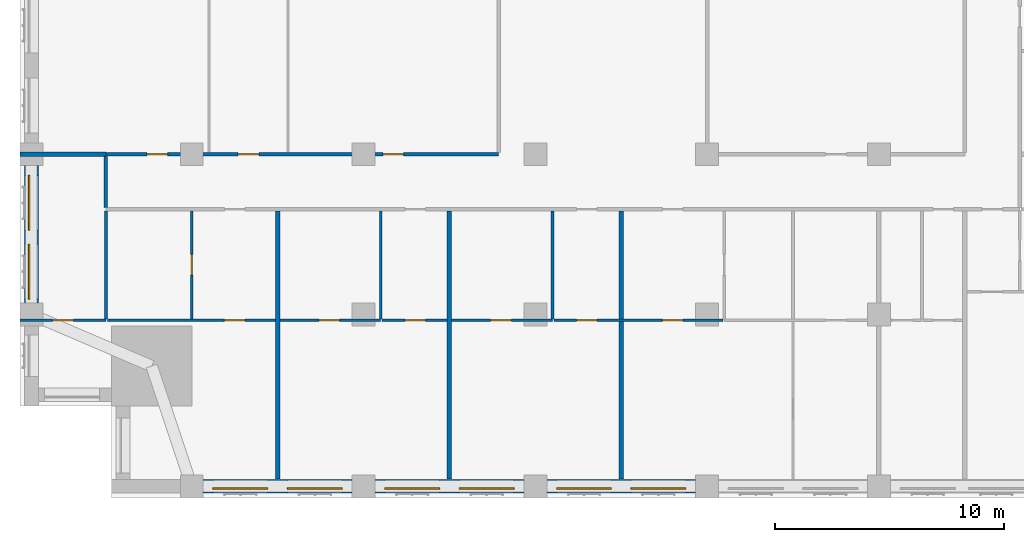
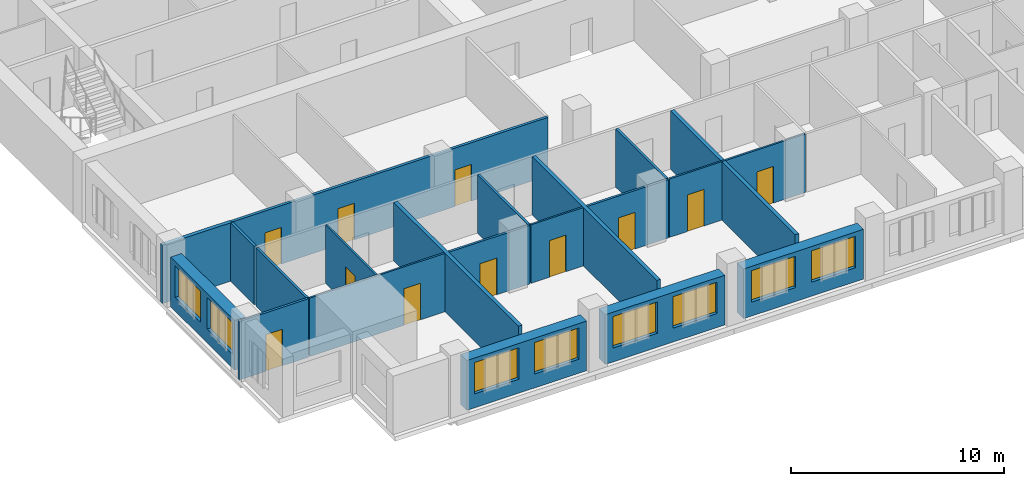
# One storey, part 4 of 14: 20 walls, 11 doors, 8 windows, 19 openings.
"""IFC4 building model written with IfcOpenShell, lengths in metres."""

import ifcopenshell
import ifcopenshell.guid

model = None  # the IFC model being written
_history = None  # IfcOwnerHistory: only IFC2X3 demands one
_inside = {}  # id of a spatial element -> (the spatial element, [elements in it])
_under = {}  # id of a project, library or spatial element -> (it, [spatial elements below it])
_declared = {}  # id of a project -> (the project, [libraries it declares])
_typed = {}  # id of a type object -> (the type object, [elements of that type])
_made_of = {}  # id of a material, layer set ... -> (it, [elements and type objects made of it])


def new_model(schema):
    """Start an empty IFC model of exactly this schema.

    Asked for "IFC4X3", IfcOpenShell would pick the latest addendum, in which some entities
    have other attributes; the version numbers below select the first issue.
    IFC2X3 requires an IfcOwnerHistory on every rooted entity: one is made here for all.
    """
    global model, _history
    if schema == "IFC4X3":
        model = ifcopenshell.file(schema_version=(4, 3, 0, 0))
    else:
        model = ifcopenshell.file(schema=schema)
    _inside.clear()
    _under.clear()
    _declared.clear()
    _typed.clear()
    _made_of.clear()
    _history = None
    if model.schema == "IFC2X3":
        org = make("IfcOrganization", Name="unknown")
        user = make(
            "IfcPersonAndOrganization",
            ThePerson=make("IfcPerson", FamilyName="unknown"),
            TheOrganization=org,
        )
        app = make(
            "IfcApplication",
            ApplicationDeveloper=org,
            Version="unknown",
            ApplicationFullName="unknown",
            ApplicationIdentifier="unknown",
        )
        _history = make(
            "IfcOwnerHistory",
            OwningUser=user,
            OwningApplication=app,
            ChangeAction="ADDED",
            CreationDate=0,
        )
    return model


def make(cls, **values):
    """One entity of the class cls with the attributes given. An attribute that is None is left unset."""
    return model.create_entity(
        cls, **{name: value for name, value in values.items() if value is not None}
    )


def rooted(cls, **values):
    """An entity with a GlobalId (a new one), such as an element, a storey or a relation."""
    return make(cls, GlobalId=ifcopenshell.guid.new(), OwnerHistory=_history, **values)


def si_unit(unit_type, name, prefix=None):
    """IfcSIUnit, for example si_unit("LENGTHUNIT", "METRE", prefix="MILLI")."""
    return make("IfcSIUnit", UnitType=unit_type, Prefix=prefix, Name=name)


def assignment(units):
    """IfcUnitAssignment: the units of a project."""
    return None if units is None else make("IfcUnitAssignment", Units=units)


def point(xyz):
    """IfcCartesianPoint."""
    return None if xyz is None else make("IfcCartesianPoint", Coordinates=xyz)


def direction(xyz):
    """IfcDirection."""
    return None if xyz is None else make("IfcDirection", DirectionRatios=xyz)


def frame(location, z_axis=None, x_axis=None):
    """IfcAxis2Placement3D, a coordinate frame: its origin and axes. An axis left out is left unset."""
    return make(
        "IfcAxis2Placement3D",
        Location=point(location),
        Axis=direction(z_axis),
        RefDirection=direction(x_axis),
    )


def frame_2d(location, x_axis=None):
    """IfcAxis2Placement2D, a coordinate frame in the plane: its origin and x axis."""
    return make(
        "IfcAxis2Placement2D", Location=point(location), RefDirection=direction(x_axis)
    )


def origin():
    """The frame at (0, 0, 0) with its axes left unset."""
    return frame((0.0, 0.0, 0.0))


def place(relative_to, where):
    """IfcLocalPlacement: puts the frame where relative to a parent placement (None: the world)."""
    return make(
        "IfcLocalPlacement", PlacementRelTo=relative_to, RelativePlacement=where
    )


def context(
    kind, dimensions, precision=None, world=None, true_north=None, identifier=None
):
    """IfcGeometricRepresentationContext, for example the 3D "Model" context."""
    return make(
        "IfcGeometricRepresentationContext",
        ContextIdentifier=identifier,
        ContextType=kind,
        CoordinateSpaceDimension=dimensions,
        Precision=precision,
        WorldCoordinateSystem=world,
        TrueNorth=true_north,
    )


def subcontext(parent, identifier, kind, view, scale=None):
    """IfcGeometricRepresentationSubContext, for example "Body" below "Model"."""
    return make(
        "IfcGeometricRepresentationSubContext",
        ContextIdentifier=identifier,
        ContextType=kind,
        ParentContext=parent,
        TargetScale=scale,
        TargetView=view,
    )


def project(units=None, contexts=None):
    """IfcProject with its units and contexts."""
    return rooted(
        "IfcProject",
        Name="project",
        RepresentationContexts=contexts,
        UnitsInContext=assignment(units),
    )


def spatial(cls, under=None, at=None, **own):
    """A site, building, storey or space (cls), placed at a placement, below another one or the project."""
    s = rooted(cls, ObjectPlacement=at, **own)
    if under is not None:
        _under.setdefault(under.id(), (under, []))[1].append(s)
    return s


def profile(cls, at=None, kind="AREA", **sizes):
    """A parametric profile (cls). Its sizes go by their IFC names, for example OverallWidth=200.0."""
    return make(cls, ProfileType=kind, Position=at, **sizes)


def rectangle(**sizes):
    """IfcRectangleProfileDef."""
    return profile("IfcRectangleProfileDef", **sizes)


def extrude(swept, where, along, depth):
    """IfcExtrudedAreaSolid: the profile swept, set in the frame where, extruded along a direction by depth."""
    return make(
        "IfcExtrudedAreaSolid",
        SweptArea=swept,
        Position=where,
        ExtrudedDirection=direction(along),
        Depth=depth,
    )


def shape(context_of_items, identifier, shape_type, items):
    """IfcShapeRepresentation: the items that make up one representation, for example the "Body"."""
    return make(
        "IfcShapeRepresentation",
        ContextOfItems=context_of_items,
        RepresentationIdentifier=identifier,
        RepresentationType=shape_type,
        Items=items,
    )


def material(Name=None, Category=None):
    """IfcMaterial."""
    return make("IfcMaterial", Name=Name, Category=Category)


def layer(
    of_material, thickness, ventilated=None, Name=None, Category=None, Priority=None
):
    """IfcMaterialLayer: one layer of a wall or slab, of a material (None: an air gap)."""
    return make(
        "IfcMaterialLayer",
        Material=of_material,
        LayerThickness=thickness,
        IsVentilated=ventilated,
        Name=Name,
        Category=Category,
        Priority=Priority,
    )


def layer_set(layers, Name=None):
    """IfcMaterialLayerSet."""
    return make("IfcMaterialLayerSet", MaterialLayers=layers, LayerSetName=Name)


def made_of(thing, what):
    """Note that an element or type object is made of a material, layer set ...; save() writes the relation."""
    if what is not None:
        _made_of.setdefault(what.id(), (what, []))[1].append(thing)
    return thing


def type_object(cls, material=None, **own):
    """A type object (cls), such as IfcWallType, which elements share."""
    return made_of(rooted(cls, **own), material)


def element(
    cls,
    number,
    at=None,
    inside=None,
    cuts=None,
    type_object=None,
    material=None,
    context=None,
    identifier="Body",
    shape_type=None,
    held_by="IfcProductDefinitionShape",
    body=None,
    shapes=None,
    **own,
):
    """One element of the class cls, such as IfcWall. Its Tag is "e" and its number.

    at: its placement. inside: the storey or other place that contains it. cuts: it is an
    opening in that element (IfcRelVoidsElement). A single representation is given by context,
    identifier, shape_type and body (its items); several are given by shapes. held_by: the class
    of the entity that holds the representations. save() writes the other relations.
    """
    e = rooted(cls, Tag="e%d" % number, ObjectPlacement=at, **own)
    if body is not None:
        shapes = [shape(context, identifier, shape_type, body)]
    if shapes is not None:
        e.Representation = make(held_by, Representations=shapes)
    if inside is not None:
        _inside.setdefault(inside.id(), (inside, []))[1].append(e)
    if cuts is not None:
        rooted(
            "IfcRelVoidsElement", RelatingBuildingElement=cuts, RelatedOpeningElement=e
        )
    if type_object is not None:
        _typed.setdefault(type_object.id(), (type_object, []))[1].append(e)
    return made_of(e, material)


def fill(opening, filler):
    """IfcRelFillsElement: the door or window that sits in an opening."""
    return rooted(
        "IfcRelFillsElement",
        RelatingOpeningElement=opening,
        RelatedBuildingElement=filler,
    )


def aggregate(whole, parts):
    """IfcRelAggregates: a whole, such as a stair, and the parts it consists of."""
    return rooted("IfcRelAggregates", RelatingObject=whole, RelatedObjects=parts)


def save(model, path):
    """Write the relations noted so far, then the file.

    IfcRelAggregates (storeys below a building ...), IfcRelContainedInSpatialStructure (elements
    in a storey), IfcRelDefinesByType, IfcRelAssociatesMaterial and IfcRelDeclares: one each for
    every whole, place, type object, material and project.
    """
    for whole, parts in _under.values():
        aggregate(whole, parts)
    for where, things in _inside.values():
        rooted(
            "IfcRelContainedInSpatialStructure",
            RelatedElements=things,
            RelatingStructure=where,
        )
    for kind, things in _typed.values():
        rooted("IfcRelDefinesByType", RelatedObjects=things, RelatingType=kind)
    for what, things in _made_of.values():
        rooted("IfcRelAssociatesMaterial", RelatedObjects=things, RelatingMaterial=what)
    for by, libraries in _declared.values():
        rooted("IfcRelDeclares", RelatingContext=by, RelatedDefinitions=libraries)
    model.write(path)


model = new_model("IFC4")

# Units and contexts
model_context = context("Model", 3, precision=1e-05, world=origin(), true_north=direction((0.0, 1.0)))
body_context = subcontext(model_context, "Body", "Model", "MODEL_VIEW")
ifc_project = project(units=[si_unit("LENGTHUNIT", "METRE"), si_unit("AREAUNIT", "SQUARE_METRE"), si_unit("VOLUMEUNIT", "CUBIC_METRE"), si_unit("PLANEANGLEUNIT", "RADIAN"), si_unit("MASSUNIT", "GRAM", prefix="KILO")], contexts=[model_context])

# Site, building, storey
site_placement = place(None, origin())
site = spatial("IfcSite", under=ifc_project, at=site_placement, CompositionType="ELEMENT")
building_placement = place(site_placement, origin())
building = spatial("IfcBuilding", under=site, at=building_placement, Name="Tamorin Gate", CompositionType="ELEMENT")
storey_placement = place(building_placement, frame((0.0, 0.0, 133.800048828125)))
storey = spatial("IfcBuildingStorey", under=building, at=storey_placement, Name="L32", CompositionType="ELEMENT", Elevation=133.800048828125)

# Wall, openings, windows
ifc_material_1 = material(Name="Precast concrete C40/50", Category="concrete")
ifc_layer_1 = layer(ifc_material_1, 0.60009765625)
ifc_layer_set_1 = layer_set([ifc_layer_1], Name="Precast concrete C40/50")
wall_type_1 = type_object("IfcWallType", Name="Board-marked concrete facade panel 600", PredefinedType="SOLIDWALL", material=ifc_layer_set_1)
wall_1_placement = place(storey_placement, frame((38.0, 38.0, 0.0), z_axis=(0.0, 0.0, 1.0), x_axis=(1.0, 0.0, 0.0)))
wall_1 = element("IfcWall", 1, at=wall_1_placement, inside=storey, type_object=wall_type_1, Name="Facade panel", PredefinedType="SOLIDWALL", context=body_context, shape_type="SweptSolid", body=[
    extrude(rectangle(XDim=6.5, YDim=0.60009765625, at=frame_2d((3.25, 0.0))), origin(), (0.0, 0.0, 1.0), 2.849853515625),
])
opening_1_placement = place(wall_1_placement, frame((0.425048828125, 0.0, 0.800048828125)))
opening_1 = element("IfcOpeningElement", 2, at=opening_1_placement, cuts=wall_1, Name="Opening WN1", PredefinedType="OPENING", context=body_context, shape_type="SweptSolid", body=[
    extrude(rectangle(XDim=2.39990234375, YDim=1.800048828125, at=frame_2d((1.199951171875, 0.89990234375))), frame((0.0, 0.31005859375, 0.0), z_axis=(0.0, -1.0, 0.0), x_axis=(1.0, 0.0, 0.0)), (0.0, 0.0, 1.0), 0.6201171875),
])
opening_2_placement = place(wall_1_placement, frame((3.675048828125, 0.0, 0.800048828125)))
opening_2 = element("IfcOpeningElement", 3, at=opening_2_placement, cuts=wall_1, Name="Opening WN1", PredefinedType="OPENING", context=body_context, shape_type="SweptSolid", body=[
    extrude(rectangle(XDim=2.39990234375, YDim=1.800048828125, at=frame_2d((1.199951171875, 0.89990234375))), frame((0.0, 0.31005859375, 0.0), z_axis=(0.0, -1.0, 0.0), x_axis=(1.0, 0.0, 0.0)), (0.0, 0.0, 1.0), 0.6201171875),
])
ifc_material_2 = material(Name="Clear glass in aluminium frame", Category="aluminium")
window_type = type_object("IfcWindowType", Name="Deep-set window 2400x1800", PartitioningType="SINGLE_PANEL", PredefinedType="WINDOW", material=ifc_material_2)
window_1_placement = place(opening_1_placement, origin())
window_1 = element("IfcWindow", 4, at=window_1_placement, inside=storey, type_object=window_type, Name="Deep-set window", OverallHeight=1.800048828125, OverallWidth=2.39990234375, PartitioningType="SINGLE_PANEL", PredefinedType="WINDOW", context=body_context, shape_type="SweptSolid", body=[
    extrude(rectangle(XDim=2.39990234375, YDim=1.800048828125, at=frame_2d((1.199951171875, 0.89990234375))), frame((0.0, -0.070068359375, 0.0), z_axis=(0.0, -1.0, 0.0), x_axis=(1.0, 0.0, 0.0)), (0.0, 0.0, 1.0), 0.06005859375),
])
fill(opening_1, window_1)
window_2_placement = place(opening_2_placement, origin())
window_2 = element("IfcWindow", 5, at=window_2_placement, inside=storey, type_object=window_type, Name="Deep-set window", OverallHeight=1.800048828125, OverallWidth=2.39990234375, PartitioningType="SINGLE_PANEL", PredefinedType="WINDOW", context=body_context, shape_type="SweptSolid", body=[
    extrude(rectangle(XDim=2.39990234375, YDim=1.800048828125, at=frame_2d((1.199951171875, 0.89990234375))), frame((0.0, -0.070068359375, 0.0), z_axis=(0.0, -1.0, 0.0), x_axis=(1.0, 0.0, 0.0)), (0.0, 0.0, 1.0), 0.06005859375),
])
fill(opening_2, window_2)

wall_2_placement = place(storey_placement, frame((45.5, 38.0, 0.0), z_axis=(0.0, 0.0, 1.0), x_axis=(1.0, 0.0, 0.0)))
wall_2 = element("IfcWall", 6, at=wall_2_placement, inside=storey, type_object=wall_type_1, Name="Facade panel", PredefinedType="SOLIDWALL", context=body_context, shape_type="SweptSolid", body=[
    extrude(rectangle(XDim=6.5, YDim=0.60009765625, at=frame_2d((3.25, 0.0))), origin(), (0.0, 0.0, 1.0), 2.849853515625),
])
opening_3_placement = place(wall_2_placement, frame((0.425048828125, 0.0, 0.800048828125)))
opening_3 = element("IfcOpeningElement", 7, at=opening_3_placement, cuts=wall_2, Name="Opening WN1", PredefinedType="OPENING", context=body_context, shape_type="SweptSolid", body=[
    extrude(rectangle(XDim=2.39990234375, YDim=1.800048828125, at=frame_2d((1.199951171875, 0.89990234375))), frame((0.0, 0.31005859375, 0.0), z_axis=(0.0, -1.0, 0.0), x_axis=(1.0, 0.0, 0.0)), (0.0, 0.0, 1.0), 0.6201171875),
])
opening_4_placement = place(wall_2_placement, frame((3.675048828125, 0.0, 0.800048828125)))
opening_4 = element("IfcOpeningElement", 8, at=opening_4_placement, cuts=wall_2, Name="Opening WN1", PredefinedType="OPENING", context=body_context, shape_type="SweptSolid", body=[
    extrude(rectangle(XDim=2.39990234375, YDim=1.800048828125, at=frame_2d((1.199951171875, 0.89990234375))), frame((0.0, 0.31005859375, 0.0), z_axis=(0.0, -1.0, 0.0), x_axis=(1.0, 0.0, 0.0)), (0.0, 0.0, 1.0), 0.6201171875),
])
window_3_placement = place(opening_3_placement, origin())
window_3 = element("IfcWindow", 9, at=window_3_placement, inside=storey, type_object=window_type, Name="Deep-set window", OverallHeight=1.800048828125, OverallWidth=2.39990234375, PartitioningType="SINGLE_PANEL", PredefinedType="WINDOW", context=body_context, shape_type="SweptSolid", body=[
    extrude(rectangle(XDim=2.39990234375, YDim=1.800048828125, at=frame_2d((1.199951171875, 0.89990234375))), frame((0.0, -0.070068359375, 0.0), z_axis=(0.0, -1.0, 0.0), x_axis=(1.0, 0.0, 0.0)), (0.0, 0.0, 1.0), 0.06005859375),
])
fill(opening_3, window_3)
window_4_placement = place(opening_4_placement, origin())
window_4 = element("IfcWindow", 10, at=window_4_placement, inside=storey, type_object=window_type, Name="Deep-set window", OverallHeight=1.800048828125, OverallWidth=2.39990234375, PartitioningType="SINGLE_PANEL", PredefinedType="WINDOW", context=body_context, shape_type="SweptSolid", body=[
    extrude(rectangle(XDim=2.39990234375, YDim=1.800048828125, at=frame_2d((1.199951171875, 0.89990234375))), frame((0.0, -0.070068359375, 0.0), z_axis=(0.0, -1.0, 0.0), x_axis=(1.0, 0.0, 0.0)), (0.0, 0.0, 1.0), 0.06005859375),
])
fill(opening_4, window_4)

wall_3_placement = place(storey_placement, frame((53.0, 38.0, 0.0), z_axis=(0.0, 0.0, 1.0), x_axis=(1.0, 0.0, 0.0)))
wall_3 = element("IfcWall", 11, at=wall_3_placement, inside=storey, type_object=wall_type_1, Name="Facade panel", PredefinedType="SOLIDWALL", context=body_context, shape_type="SweptSolid", body=[
    extrude(rectangle(XDim=6.5, YDim=0.60009765625, at=frame_2d((3.25, 0.0))), origin(), (0.0, 0.0, 1.0), 2.849853515625),
])
opening_5_placement = place(wall_3_placement, frame((0.425048828125, 0.0, 0.800048828125)))
opening_5 = element("IfcOpeningElement", 12, at=opening_5_placement, cuts=wall_3, Name="Opening WN1", PredefinedType="OPENING", context=body_context, shape_type="SweptSolid", body=[
    extrude(rectangle(XDim=2.39990234375, YDim=1.800048828125, at=frame_2d((1.199951171875, 0.89990234375))), frame((0.0, 0.31005859375, 0.0), z_axis=(0.0, -1.0, 0.0), x_axis=(1.0, 0.0, 0.0)), (0.0, 0.0, 1.0), 0.6201171875),
])
opening_6_placement = place(wall_3_placement, frame((3.675048828125, 0.0, 0.800048828125)))
opening_6 = element("IfcOpeningElement", 13, at=opening_6_placement, cuts=wall_3, Name="Opening WN1", PredefinedType="OPENING", context=body_context, shape_type="SweptSolid", body=[
    extrude(rectangle(XDim=2.39990234375, YDim=1.800048828125, at=frame_2d((1.199951171875, 0.89990234375))), frame((0.0, 0.31005859375, 0.0), z_axis=(0.0, -1.0, 0.0), x_axis=(1.0, 0.0, 0.0)), (0.0, 0.0, 1.0), 0.6201171875),
])
window_5_placement = place(opening_5_placement, origin())
window_5 = element("IfcWindow", 14, at=window_5_placement, inside=storey, type_object=window_type, Name="Deep-set window", OverallHeight=1.800048828125, OverallWidth=2.39990234375, PartitioningType="SINGLE_PANEL", PredefinedType="WINDOW", context=body_context, shape_type="SweptSolid", body=[
    extrude(rectangle(XDim=2.39990234375, YDim=1.800048828125, at=frame_2d((1.199951171875, 0.89990234375))), frame((0.0, -0.070068359375, 0.0), z_axis=(0.0, -1.0, 0.0), x_axis=(1.0, 0.0, 0.0)), (0.0, 0.0, 1.0), 0.06005859375),
])
fill(opening_5, window_5)
window_6_placement = place(opening_6_placement, origin())
window_6 = element("IfcWindow", 15, at=window_6_placement, inside=storey, type_object=window_type, Name="Deep-set window", OverallHeight=1.800048828125, OverallWidth=2.39990234375, PartitioningType="SINGLE_PANEL", PredefinedType="WINDOW", context=body_context, shape_type="SweptSolid", body=[
    extrude(rectangle(XDim=2.39990234375, YDim=1.800048828125, at=frame_2d((1.199951171875, 0.89990234375))), frame((0.0, -0.070068359375, 0.0), z_axis=(0.0, -1.0, 0.0), x_axis=(1.0, 0.0, 0.0)), (0.0, 0.0, 1.0), 0.06005859375),
])
fill(opening_6, window_6)

wall_4_placement = place(storey_placement, frame((30.5, 52.0, 0.0), z_axis=(0.0, 0.0, 1.0), x_axis=(0.0, -1.0, 0.0)))
wall_4 = element("IfcWall", 16, at=wall_4_placement, inside=storey, type_object=wall_type_1, Name="Facade panel", PredefinedType="SOLIDWALL", context=body_context, shape_type="SweptSolid", body=[
    extrude(rectangle(XDim=6.0, YDim=0.60009765625, at=frame_2d((3.0, 0.0))), origin(), (0.0, 0.0, 1.0), 2.849853515625),
])
opening_7_placement = place(wall_4_placement, frame((3.425048828125, 0.0, 0.800048828125)))
opening_7 = element("IfcOpeningElement", 17, at=opening_7_placement, cuts=wall_4, Name="Opening WN1", PredefinedType="OPENING", context=body_context, shape_type="SweptSolid", body=[
    extrude(rectangle(XDim=2.39990234375, YDim=1.800048828125, at=frame_2d((1.199951171875, 0.89990234375))), frame((0.0, 0.31005859375, 0.0), z_axis=(0.0, -1.0, 0.0), x_axis=(1.0, 0.0, 0.0)), (0.0, 0.0, 1.0), 0.6201171875),
])
opening_8_placement = place(wall_4_placement, frame((0.425048828125, 0.0, 0.800048828125)))
opening_8 = element("IfcOpeningElement", 18, at=opening_8_placement, cuts=wall_4, Name="Opening WN1", PredefinedType="OPENING", context=body_context, shape_type="SweptSolid", body=[
    extrude(rectangle(XDim=2.39990234375, YDim=1.800048828125, at=frame_2d((1.199951171875, 0.89990234375))), frame((0.0, 0.31005859375, 0.0), z_axis=(0.0, -1.0, 0.0), x_axis=(1.0, 0.0, 0.0)), (0.0, 0.0, 1.0), 0.6201171875),
])
window_7_placement = place(opening_7_placement, origin())
window_7 = element("IfcWindow", 19, at=window_7_placement, inside=storey, type_object=window_type, Name="Deep-set window", OverallHeight=1.800048828125, OverallWidth=2.39990234375, PartitioningType="SINGLE_PANEL", PredefinedType="WINDOW", context=body_context, shape_type="SweptSolid", body=[
    extrude(rectangle(XDim=2.39990234375, YDim=1.800048828125, at=frame_2d((1.199951171875, 0.89990234375))), frame((0.0, -0.070068359375, 0.0), z_axis=(0.0, -1.0, 0.0), x_axis=(1.0, 0.0, 0.0)), (0.0, 0.0, 1.0), 0.06005859375),
])
fill(opening_7, window_7)
window_8_placement = place(opening_8_placement, origin())
window_8 = element("IfcWindow", 20, at=window_8_placement, inside=storey, type_object=window_type, Name="Deep-set window", OverallHeight=1.800048828125, OverallWidth=2.39990234375, PartitioningType="SINGLE_PANEL", PredefinedType="WINDOW", context=body_context, shape_type="SweptSolid", body=[
    extrude(rectangle(XDim=2.39990234375, YDim=1.800048828125, at=frame_2d((1.199951171875, 0.89990234375))), frame((0.0, -0.070068359375, 0.0), z_axis=(0.0, -1.0, 0.0), x_axis=(1.0, 0.0, 0.0)), (0.0, 0.0, 1.0), 0.06005859375),
])
fill(opening_8, window_8)

# Wall, openings, doors
ifc_material_3 = material(Name="Gypsum board partition")
ifc_layer_2 = layer(ifc_material_3, 0.14990234375)
ifc_layer_set_2 = layer_set([ifc_layer_2], Name="Corridor wall 150")
wall_type_2 = type_object("IfcWallType", Name="Corridor wall 150", PredefinedType="PARTITIONING", material=ifc_layer_set_2)
wall_5_placement = place(storey_placement, frame((33.75, 52.5, 0.0), z_axis=(0.0, 0.0, 1.0), x_axis=(1.0, 0.0, 0.0)))
wall_5 = element("IfcWall", 21, at=wall_5_placement, inside=storey, type_object=wall_type_2, Name="Corridor wall 150", PredefinedType="PARTITIONING", context=body_context, shape_type="SweptSolid", body=[
    extrude(rectangle(XDim=17.14990234375, YDim=0.14990234375, at=frame_2d((8.574951171875, 0.0))), origin(), (0.0, 0.0, 1.0), 3.349853515625),
])
opening_9_placement = place(wall_5_placement, frame((1.800048828125, 0.0, 0.0)))
opening_9 = element("IfcOpeningElement", 22, at=opening_9_placement, cuts=wall_5, Name="Opening DS2066", PredefinedType="OPENING", context=body_context, shape_type="SweptSolid", body=[
    extrude(rectangle(XDim=0.89990234375, YDim=2.10009765625, at=frame_2d((0.449951171875, 1.050048828125))), frame((0.0, 0.0849609375, 0.0), z_axis=(0.0, -1.0, 0.0), x_axis=(1.0, 0.0, 0.0)), (0.0, 0.0, 1.0), 0.169921875),
])
opening_10_placement = place(wall_5_placement, frame((5.77490234375, 0.0, 0.0)))
opening_10 = element("IfcOpeningElement", 23, at=opening_10_placement, cuts=wall_5, Name="Opening DS2067", PredefinedType="OPENING", context=body_context, shape_type="SweptSolid", body=[
    extrude(rectangle(XDim=0.89990234375, YDim=2.10009765625, at=frame_2d((0.449951171875, 1.050048828125))), frame((0.0, 0.0849609375, 0.0), z_axis=(0.0, -1.0, 0.0), x_axis=(1.0, 0.0, 0.0)), (0.0, 0.0, 1.0), 0.169921875),
])
opening_11_placement = place(wall_5_placement, frame((12.10009765625, 0.0, 0.0)))
opening_11 = element("IfcOpeningElement", 24, at=opening_11_placement, cuts=wall_5, Name="Opening DS2068", PredefinedType="OPENING", context=body_context, shape_type="SweptSolid", body=[
    extrude(rectangle(XDim=0.89990234375, YDim=2.10009765625, at=frame_2d((0.449951171875, 1.050048828125))), frame((0.0, 0.0849609375, 0.0), z_axis=(0.0, -1.0, 0.0), x_axis=(1.0, 0.0, 0.0)), (0.0, 0.0, 1.0), 0.169921875),
])
ifc_material_4 = material(Name="Timber door leaf", Category="wood")
door_type_1 = type_object("IfcDoorType", Name="Door 900 x 2100 FD30S", OperationType="NOTDEFINED", PredefinedType="DOOR", material=ifc_material_4)
door_1_placement = place(opening_9_placement, origin())
door_1 = element("IfcDoor", 25, at=door_1_placement, inside=storey, type_object=door_type_1, Name="Door DS2066", OperationType="SINGLE_SWING_LEFT", OverallHeight=2.10009765625, OverallWidth=0.89990234375, PredefinedType="DOOR", context=body_context, shape_type="SweptSolid", body=[
    extrude(rectangle(XDim=0.89990234375, YDim=2.10009765625, at=frame_2d((0.449951171875, 1.050048828125))), frame((0.0, 0.02490234375, 0.0), z_axis=(0.0, -1.0, 0.0), x_axis=(1.0, 0.0, 0.0)), (0.0, 0.0, 1.0), 0.050048828125),
])
fill(opening_9, door_1)
door_2_placement = place(opening_10_placement, origin())
door_2 = element("IfcDoor", 26, at=door_2_placement, inside=storey, type_object=door_type_1, Name="Door DS2067", OperationType="SINGLE_SWING_LEFT", OverallHeight=2.10009765625, OverallWidth=0.89990234375, PredefinedType="DOOR", context=body_context, shape_type="SweptSolid", body=[
    extrude(rectangle(XDim=0.89990234375, YDim=2.10009765625, at=frame_2d((0.449951171875, 1.050048828125))), frame((0.0, 0.02490234375, 0.0), z_axis=(0.0, -1.0, 0.0), x_axis=(1.0, 0.0, 0.0)), (0.0, 0.0, 1.0), 0.050048828125),
])
fill(opening_10, door_2)
door_3_placement = place(opening_11_placement, origin())
door_3 = element("IfcDoor", 27, at=door_3_placement, inside=storey, type_object=door_type_1, Name="Door DS2068", OperationType="SINGLE_SWING_LEFT", OverallHeight=2.10009765625, OverallWidth=0.89990234375, PredefinedType="DOOR", context=body_context, shape_type="SweptSolid", body=[
    extrude(rectangle(XDim=0.89990234375, YDim=2.10009765625, at=frame_2d((0.449951171875, 1.050048828125))), frame((0.0, 0.02490234375, 0.0), z_axis=(0.0, -1.0, 0.0), x_axis=(1.0, 0.0, 0.0)), (0.0, 0.0, 1.0), 0.050048828125),
])
fill(opening_11, door_3)

# Walls
wall_6_placement = place(storey_placement, frame((33.75, 50.175048828125, 0.0), z_axis=(0.0, 0.0, 1.0), x_axis=(0.0, 1.0, 0.0)))
element("IfcWall", 28, at=wall_6_placement, inside=storey, type_object=wall_type_2, Name="Corridor wall 150", PredefinedType="PARTITIONING", context=body_context, shape_type="SweptSolid", body=[
    extrude(rectangle(XDim=2.224853515625, YDim=0.14990234375, at=frame_2d((1.1123046875, 0.0))), origin(), (0.0, 0.0, 1.0), 3.349853515625),
])
ifc_layer_3 = layer(ifc_material_3, 0.199951171875)
ifc_layer_set_3 = layer_set([ifc_layer_3], Name="Demising wall 200")
wall_type_3 = type_object("IfcWallType", Name="Demising wall 200", PredefinedType="PARTITIONING", material=ifc_layer_set_3)
wall_7_placement = place(storey_placement, frame((30.0, 52.5, 0.0), z_axis=(0.0, 0.0, 1.0), x_axis=(1.0, 0.0, 0.0)))
element("IfcWall", 29, at=wall_7_placement, inside=storey, type_object=wall_type_3, Name="Demising wall 200", PredefinedType="PARTITIONING", context=body_context, shape_type="SweptSolid", body=[
    extrude(rectangle(XDim=3.75, YDim=0.199951171875, at=frame_2d((1.875, 0.0))), origin(), (0.0, 0.0, 1.0), 3.349853515625),
])
for number, where, z_axis, x_axis, name in (
    (30, (41.25, 38.31005859375, 0.0), (0.0, 0.0, 1.0), (0.0, 1.0, 0.0), "Demising wall 200"),
    (31, (48.75, 38.31005859375, 0.0), (0.0, 0.0, 1.0), (0.0, 1.0, 0.0), "Demising wall 200"),
    (32, (56.25, 38.31005859375, 0.0), (0.0, 0.0, 1.0), (0.0, 1.0, 0.0), "Demising wall 200"),
):
    element("IfcWall", number, at=place(storey_placement, frame(where, z_axis=z_axis, x_axis=x_axis)), inside=storey, type_object=wall_type_3, Name=name, PredefinedType="PARTITIONING", context=body_context, shape_type="SweptSolid", body=[
        extrude(rectangle(XDim=11.71484375, YDim=0.199951171875, at=frame_2d((5.857421875, 0.0))), origin(), (0.0, 0.0, 1.0), 3.349853515625),
    ])

# Wall, opening, door
ifc_layer_4 = layer(ifc_material_3, 0.10009765625)
ifc_layer_set_4 = layer_set([ifc_layer_4], Name="Room partition 100")
wall_type_4 = type_object("IfcWallType", Name="Room partition 100", PredefinedType="PARTITIONING", material=ifc_layer_set_4)
wall_8_placement = place(storey_placement, frame((33.8125, 45.25, 0.0), z_axis=(0.0, 0.0, 1.0), x_axis=(1.0, 0.0, 0.0)))
wall_8 = element("IfcWall", 33, at=wall_8_placement, inside=storey, type_object=wall_type_4, Name="Room partition 100", PredefinedType="PARTITIONING", context=body_context, shape_type="SweptSolid", body=[
    extrude(rectangle(XDim=7.33740234375, YDim=0.10009765625, at=frame_2d((3.668701171875, 0.0))), origin(), (0.0, 0.0, 1.0), 3.349853515625),
])
opening_12_placement = place(wall_8_placement, frame((5.112548828125, 0.0, 0.0)))
opening_12 = element("IfcOpeningElement", 34, at=opening_12_placement, cuts=wall_8, Name="Opening DS2004", PredefinedType="OPENING", context=body_context, shape_type="SweptSolid", body=[
    extrude(rectangle(XDim=0.89990234375, YDim=2.10009765625, at=frame_2d((0.449951171875, 1.050048828125))), frame((0.0, 0.06005859375, 0.0), z_axis=(0.0, -1.0, 0.0), x_axis=(1.0, 0.0, 0.0)), (0.0, 0.0, 1.0), 0.1201171875),
])
door_type_2 = type_object("IfcDoorType", Name="Door 900 x 2100", OperationType="NOTDEFINED", PredefinedType="DOOR", material=ifc_material_4)
door_4_placement = place(opening_12_placement, origin())
door_4 = element("IfcDoor", 35, at=door_4_placement, inside=storey, type_object=door_type_2, Name="Door DS2004", OperationType="SINGLE_SWING_LEFT", OverallHeight=2.10009765625, OverallWidth=0.89990234375, PredefinedType="DOOR", context=body_context, shape_type="SweptSolid", body=[
    extrude(rectangle(XDim=0.89990234375, YDim=2.10009765625, at=frame_2d((0.449951171875, 1.050048828125))), frame((0.0, 0.02490234375, 0.0), z_axis=(0.0, -1.0, 0.0), x_axis=(1.0, 0.0, 0.0)), (0.0, 0.0, 1.0), 0.050048828125),
])
fill(opening_12, door_4)

wall_9_placement = place(storey_placement, frame((45.8125, 45.25, 0.0), z_axis=(0.0, 0.0, 1.0), x_axis=(1.0, 0.0, 0.0)))
wall_9 = element("IfcWall", 36, at=wall_9_placement, inside=storey, type_object=wall_type_4, Name="Room partition 100", PredefinedType="PARTITIONING", context=body_context, shape_type="SweptSolid", body=[
    extrude(rectangle(XDim=2.83740234375, YDim=0.10009765625, at=frame_2d((1.418701171875, 0.0))), origin(), (0.0, 0.0, 1.0), 3.349853515625),
])
opening_13_placement = place(wall_9_placement, frame((0.987548828125, 0.0, 0.0)))
opening_13 = element("IfcOpeningElement", 37, at=opening_13_placement, cuts=wall_9, Name="Opening DS2007", PredefinedType="OPENING", context=body_context, shape_type="SweptSolid", body=[
    extrude(rectangle(XDim=0.89990234375, YDim=2.10009765625, at=frame_2d((0.449951171875, 1.050048828125))), frame((0.0, 0.06005859375, 0.0), z_axis=(0.0, -1.0, 0.0), x_axis=(1.0, 0.0, 0.0)), (0.0, 0.0, 1.0), 0.1201171875),
])
door_5_placement = place(opening_13_placement, origin())
door_5 = element("IfcDoor", 38, at=door_5_placement, inside=storey, type_object=door_type_2, Name="Door DS2007", OperationType="SINGLE_SWING_LEFT", OverallHeight=2.10009765625, OverallWidth=0.89990234375, PredefinedType="DOOR", context=body_context, shape_type="SweptSolid", body=[
    extrude(rectangle(XDim=0.89990234375, YDim=2.10009765625, at=frame_2d((0.449951171875, 1.050048828125))), frame((0.0, 0.02490234375, 0.0), z_axis=(0.0, -1.0, 0.0), x_axis=(1.0, 0.0, 0.0)), (0.0, 0.0, 1.0), 0.050048828125),
])
fill(opening_13, door_5)

# Wall, openings, doors
wall_10_placement = place(storey_placement, frame((53.3125, 45.25, 0.0), z_axis=(0.0, 0.0, 1.0), x_axis=(1.0, 0.0, 0.0)))
wall_10 = element("IfcWall", 39, at=wall_10_placement, inside=storey, type_object=wall_type_4, Name="Room partition 100", PredefinedType="PARTITIONING", context=body_context, shape_type="SweptSolid", body=[
    extrude(rectangle(XDim=7.375, YDim=0.10009765625, at=frame_2d((3.6875, 0.0))), origin(), (0.0, 0.0, 1.0), 3.349853515625),
])
opening_14_placement = place(wall_10_placement, frame((0.987548828125, 0.0, 0.0)))
opening_14 = element("IfcOpeningElement", 40, at=opening_14_placement, cuts=wall_10, Name="Opening DS2010", PredefinedType="OPENING", context=body_context, shape_type="SweptSolid", body=[
    extrude(rectangle(XDim=0.89990234375, YDim=2.10009765625, at=frame_2d((0.449951171875, 1.050048828125))), frame((0.0, 0.06005859375, 0.0), z_axis=(0.0, -1.0, 0.0), x_axis=(1.0, 0.0, 0.0)), (0.0, 0.0, 1.0), 0.1201171875),
])
opening_15_placement = place(wall_10_placement, frame((4.737548828125, 0.0, 0.0)))
opening_15 = element("IfcOpeningElement", 41, at=opening_15_placement, cuts=wall_10, Name="Opening DS2012", PredefinedType="OPENING", context=body_context, shape_type="SweptSolid", body=[
    extrude(rectangle(XDim=0.89990234375, YDim=2.10009765625, at=frame_2d((0.449951171875, 1.050048828125))), frame((0.0, 0.06005859375, 0.0), z_axis=(0.0, -1.0, 0.0), x_axis=(1.0, 0.0, 0.0)), (0.0, 0.0, 1.0), 0.1201171875),
])
door_6_placement = place(opening_14_placement, origin())
door_6 = element("IfcDoor", 42, at=door_6_placement, inside=storey, type_object=door_type_2, Name="Door DS2010", OperationType="SINGLE_SWING_LEFT", OverallHeight=2.10009765625, OverallWidth=0.89990234375, PredefinedType="DOOR", context=body_context, shape_type="SweptSolid", body=[
    extrude(rectangle(XDim=0.89990234375, YDim=2.10009765625, at=frame_2d((0.449951171875, 1.050048828125))), frame((0.0, 0.02490234375, 0.0), z_axis=(0.0, -1.0, 0.0), x_axis=(1.0, 0.0, 0.0)), (0.0, 0.0, 1.0), 0.050048828125),
])
fill(opening_14, door_6)
door_7_placement = place(opening_15_placement, origin())
door_7 = element("IfcDoor", 43, at=door_7_placement, inside=storey, type_object=door_type_2, Name="Door DS2012", OperationType="SINGLE_SWING_LEFT", OverallHeight=2.10009765625, OverallWidth=0.89990234375, PredefinedType="DOOR", context=body_context, shape_type="SweptSolid", body=[
    extrude(rectangle(XDim=0.89990234375, YDim=2.10009765625, at=frame_2d((0.449951171875, 1.050048828125))), frame((0.0, 0.02490234375, 0.0), z_axis=(0.0, -1.0, 0.0), x_axis=(1.0, 0.0, 0.0)), (0.0, 0.0, 1.0), 0.050048828125),
])
fill(opening_15, door_7)

# Wall, opening, door
wall_11_placement = place(storey_placement, frame((37.5, 45.300048828125, 0.0), z_axis=(0.0, 0.0, 1.0), x_axis=(0.0, 1.0, 0.0)))
wall_11 = element("IfcWall", 44, at=wall_11_placement, inside=storey, type_object=wall_type_4, Name="Room partition 100", PredefinedType="PARTITIONING", context=body_context, shape_type="SweptSolid", body=[
    extrude(rectangle(XDim=4.724853515625, YDim=0.10009765625, at=frame_2d((2.3623046875, 0.0))), origin(), (0.0, 0.0, 1.0), 3.349853515625),
])
opening_16_placement = place(wall_11_placement, frame((1.925048828125, 0.0, 0.0)))
opening_16 = element("IfcOpeningElement", 45, at=opening_16_placement, cuts=wall_11, Name="Opening DS2002", PredefinedType="OPENING", context=body_context, shape_type="SweptSolid", body=[
    extrude(rectangle(XDim=0.89990234375, YDim=2.10009765625, at=frame_2d((0.449951171875, 1.050048828125))), frame((0.0, 0.06005859375, 0.0), z_axis=(0.0, -1.0, 0.0), x_axis=(1.0, 0.0, 0.0)), (0.0, 0.0, 1.0), 0.1201171875),
])
door_8_placement = place(opening_16_placement, origin())
door_8 = element("IfcDoor", 46, at=door_8_placement, inside=storey, type_object=door_type_2, Name="Door DS2002", OperationType="SINGLE_SWING_RIGHT", OverallHeight=2.10009765625, OverallWidth=0.89990234375, PredefinedType="DOOR", context=body_context, shape_type="SweptSolid", body=[
    extrude(rectangle(XDim=0.89990234375, YDim=2.10009765625, at=frame_2d((0.449951171875, 1.050048828125))), frame((0.0, 0.02490234375, 0.0), z_axis=(0.0, -1.0, 0.0), x_axis=(1.0, 0.0, 0.0)), (0.0, 0.0, 1.0), 0.050048828125),
])
fill(opening_16, door_8)

ifc_layer_5 = layer(ifc_material_3, 0.125)
ifc_layer_set_5 = layer_set([ifc_layer_5], Name="Wet wall 125")
wall_type_5 = type_object("IfcWallType", Name="Wet wall 125", PredefinedType="PARTITIONING", material=ifc_layer_set_5)
wall_12_placement = place(storey_placement, frame((30.0, 45.25, 0.0), z_axis=(0.0, 0.0, 1.0), x_axis=(1.0, 0.0, 0.0)))
wall_12 = element("IfcWall", 47, at=wall_12_placement, inside=storey, type_object=wall_type_5, Name="Wet wall 125", PredefinedType="PARTITIONING", context=body_context, shape_type="SweptSolid", body=[
    extrude(rectangle(XDim=3.75, YDim=0.125, at=frame_2d((1.875, 0.0))), origin(), (0.0, 0.0, 1.0), 3.349853515625),
])
opening_17_placement = place(wall_12_placement, frame((1.425048828125, 0.0, 0.0)))
opening_17 = element("IfcOpeningElement", 48, at=opening_17_placement, cuts=wall_12, Name="Opening DS2001", PredefinedType="OPENING", context=body_context, shape_type="SweptSolid", body=[
    extrude(rectangle(XDim=0.89990234375, YDim=2.10009765625, at=frame_2d((0.449951171875, 1.050048828125))), frame((0.0, 0.072509765625, 0.0), z_axis=(0.0, -1.0, 0.0), x_axis=(1.0, 0.0, 0.0)), (0.0, 0.0, 1.0), 0.14501953125),
])
door_9_placement = place(opening_17_placement, origin())
door_9 = element("IfcDoor", 49, at=door_9_placement, inside=storey, type_object=door_type_2, Name="Door DS2001", OperationType="SINGLE_SWING_LEFT", OverallHeight=2.10009765625, OverallWidth=0.89990234375, PredefinedType="DOOR", context=body_context, shape_type="SweptSolid", body=[
    extrude(rectangle(XDim=0.89990234375, YDim=2.10009765625, at=frame_2d((0.449951171875, 1.050048828125))), frame((0.0, 0.02490234375, 0.0), z_axis=(0.0, -1.0, 0.0), x_axis=(1.0, 0.0, 0.0)), (0.0, 0.0, 1.0), 0.050048828125),
])
fill(opening_17, door_9)

wall_13_placement = place(storey_placement, frame((41.35009765625, 45.25, 0.0), z_axis=(0.0, 0.0, 1.0), x_axis=(1.0, 0.0, 0.0)))
wall_13 = element("IfcWall", 50, at=wall_13_placement, inside=storey, type_object=wall_type_5, Name="Wet wall 125", PredefinedType="PARTITIONING", context=body_context, shape_type="SweptSolid", body=[
    extrude(rectangle(XDim=4.39990234375, YDim=0.125, at=frame_2d((2.199951171875, 0.0))), origin(), (0.0, 0.0, 1.0), 3.349853515625),
])
opening_18_placement = place(wall_13_placement, frame((1.699951171875, 0.0, 0.0)))
opening_18 = element("IfcOpeningElement", 51, at=opening_18_placement, cuts=wall_13, Name="Opening DS2005", PredefinedType="OPENING", context=body_context, shape_type="SweptSolid", body=[
    extrude(rectangle(XDim=0.89990234375, YDim=2.10009765625, at=frame_2d((0.449951171875, 1.050048828125))), frame((0.0, 0.072509765625, 0.0), z_axis=(0.0, -1.0, 0.0), x_axis=(1.0, 0.0, 0.0)), (0.0, 0.0, 1.0), 0.14501953125),
])
door_10_placement = place(opening_18_placement, origin())
door_10 = element("IfcDoor", 52, at=door_10_placement, inside=storey, type_object=door_type_2, Name="Door DS2005", OperationType="SINGLE_SWING_LEFT", OverallHeight=2.10009765625, OverallWidth=0.89990234375, PredefinedType="DOOR", context=body_context, shape_type="SweptSolid", body=[
    extrude(rectangle(XDim=0.89990234375, YDim=2.10009765625, at=frame_2d((0.449951171875, 1.050048828125))), frame((0.0, 0.02490234375, 0.0), z_axis=(0.0, -1.0, 0.0), x_axis=(1.0, 0.0, 0.0)), (0.0, 0.0, 1.0), 0.050048828125),
])
fill(opening_18, door_10)

wall_14_placement = place(storey_placement, frame((48.85009765625, 45.25, 0.0), z_axis=(0.0, 0.0, 1.0), x_axis=(1.0, 0.0, 0.0)))
wall_14 = element("IfcWall", 53, at=wall_14_placement, inside=storey, type_object=wall_type_5, Name="Wet wall 125", PredefinedType="PARTITIONING", context=body_context, shape_type="SweptSolid", body=[
    extrude(rectangle(XDim=4.39990234375, YDim=0.125, at=frame_2d((2.199951171875, 0.0))), origin(), (0.0, 0.0, 1.0), 3.349853515625),
])
opening_19_placement = place(wall_14_placement, frame((1.699951171875, 0.0, 0.0)))
opening_19 = element("IfcOpeningElement", 54, at=opening_19_placement, cuts=wall_14, Name="Opening DS2008", PredefinedType="OPENING", context=body_context, shape_type="SweptSolid", body=[
    extrude(rectangle(XDim=0.89990234375, YDim=2.10009765625, at=frame_2d((0.449951171875, 1.050048828125))), frame((0.0, 0.072509765625, 0.0), z_axis=(0.0, -1.0, 0.0), x_axis=(1.0, 0.0, 0.0)), (0.0, 0.0, 1.0), 0.14501953125),
])
door_11_placement = place(opening_19_placement, origin())
door_11 = element("IfcDoor", 55, at=door_11_placement, inside=storey, type_object=door_type_2, Name="Door DS2008", OperationType="SINGLE_SWING_LEFT", OverallHeight=2.10009765625, OverallWidth=0.89990234375, PredefinedType="DOOR", context=body_context, shape_type="SweptSolid", body=[
    extrude(rectangle(XDim=0.89990234375, YDim=2.10009765625, at=frame_2d((0.449951171875, 1.050048828125))), frame((0.0, 0.02490234375, 0.0), z_axis=(0.0, -1.0, 0.0), x_axis=(1.0, 0.0, 0.0)), (0.0, 0.0, 1.0), 0.050048828125),
])
fill(opening_19, door_11)

# Walls
for number, where, z_axis, x_axis, name in (
    (56, (33.75, 45.3125, 0.0), (0.0, 0.0, 1.0), (0.0, 1.0, 0.0), "Wet wall 125"),
    (57, (45.75, 45.3125, 0.0), (0.0, 0.0, 1.0), (0.0, 1.0, 0.0), "Wet wall 125"),
    (58, (53.25, 45.3125, 0.0), (0.0, 0.0, 1.0), (0.0, 1.0, 0.0), "Wet wall 125"),
):
    element("IfcWall", number, at=place(storey_placement, frame(where, z_axis=z_axis, x_axis=x_axis)), inside=storey, type_object=wall_type_5, Name=name, PredefinedType="PARTITIONING", context=body_context, shape_type="SweptSolid", body=[
        extrude(rectangle(XDim=4.71240234375, YDim=0.125, at=frame_2d((2.356201171875, 0.0))), origin(), (0.0, 0.0, 1.0), 3.349853515625),
    ])

save(model, "model.ifc")
